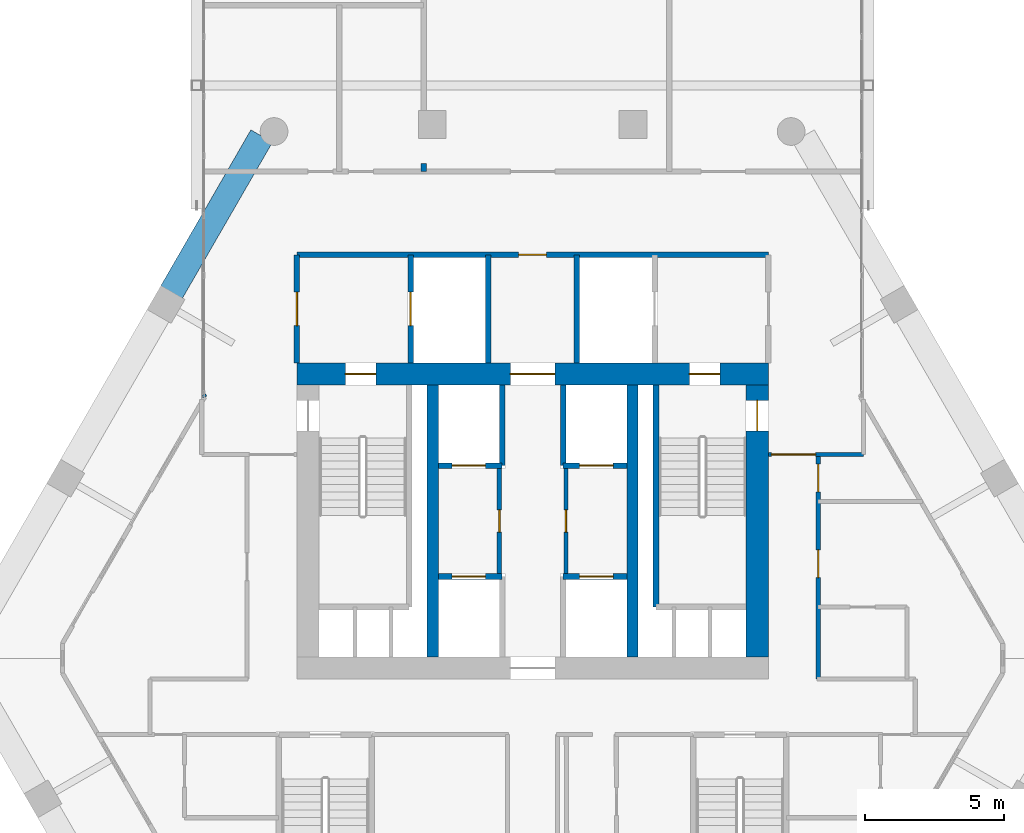
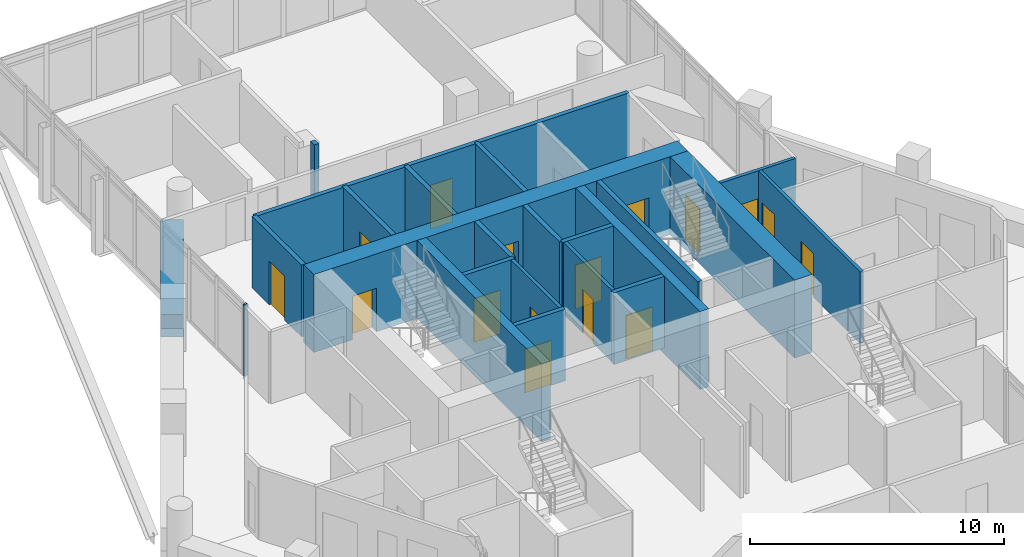
# One storey, part 34 of 38: 23 walls, 16 doors, 16 openings.
"""IFC4 building model written with IfcOpenShell, lengths in metres."""

from ifc_helpers import new_model, si_unit, direction, frame, frame_2d, origin, place, context, subcontext, project, spatial, rectangle, extrude, material, layer, layer_set, type_object, element, fill, save


model = new_model("IFC4")

# Units and contexts
model_context = context("Model", 3, precision=1e-05, world=origin(), true_north=direction((0.0, 1.0)))
body_context = subcontext(model_context, "Body", "Model", "MODEL_VIEW")
ifc_project = project(units=[si_unit("LENGTHUNIT", "METRE"), si_unit("AREAUNIT", "SQUARE_METRE"), si_unit("VOLUMEUNIT", "CUBIC_METRE"), si_unit("PLANEANGLEUNIT", "RADIAN"), si_unit("MASSUNIT", "GRAM", prefix="KILO")], contexts=[model_context])

# Site, building, storey
site_placement = place(None, origin())
site = spatial("IfcSite", under=ifc_project, at=site_placement, CompositionType="ELEMENT")
building_placement = place(site_placement, origin())
building = spatial("IfcBuilding", under=site, at=building_placement, Name="Ostrander Bayou Hotel Tower", CompositionType="ELEMENT")
storey_placement = place(building_placement, frame((0.0, 0.0, 194.5)))
storey = spatial("IfcBuildingStorey", under=building, at=storey_placement, Name="L48", CompositionType="ELEMENT", Elevation=194.5)

# Wall, openings, doors
ifc_material_1 = material(Name="Concrete f'c 60 MPa", Category="concrete")
ifc_layer_1 = layer(ifc_material_1, 0.800048828125)
ifc_layer_set_1 = layer_set([ifc_layer_1], Name="CW7 core wall 800 mm f'c 60 MPa")
wall_type_1 = type_object("IfcWallType", Name="CW7 core wall 800 mm f'c 60 MPa", PredefinedType="SHEAR", material=ifc_layer_set_1)
wall_1_placement = place(storey_placement, frame((-8.5, 9.300048828125, -0.300048828125), z_axis=(0.0, 0.0, 1.0), x_axis=(1.0, 0.0, 0.0)))
wall_1 = element("IfcWall", 1, at=wall_1_placement, inside=storey, type_object=wall_type_1, Name="CW7 L48 N", PredefinedType="SHEAR", context=body_context, shape_type="SweptSolid", body=[
    extrude(rectangle(XDim=17.0, YDim=0.800048828125, at=frame_2d((8.5, 0.0))), origin(), (0.0, 0.0, 1.0), 3.75),
])
opening_1_placement = place(wall_1_placement, frame((7.699951171875, 0.0, 0.0)))
opening_1 = element("IfcOpeningElement", 2, at=opening_1_placement, cuts=wall_1, Name="Opening T48-006", PredefinedType="OPENING", context=body_context, shape_type="SweptSolid", body=[
    extrude(rectangle(XDim=1.60009765625, YDim=2.10009765625, at=frame_2d((0.800048828125, 1.050048828125))), frame((0.0, 0.39990234375, 0.0), z_axis=(0.0, -1.0, 0.0), x_axis=(1.0, 0.0, 0.0)), (0.0, 0.0, 1.0), 0.800048828125),
])
opening_2_placement = place(wall_1_placement, frame((1.75, 0.0, 0.0)))
opening_2 = element("IfcOpeningElement", 3, at=opening_2_placement, cuts=wall_1, Name="Opening T48-007", PredefinedType="OPENING", context=body_context, shape_type="SweptSolid", body=[
    extrude(rectangle(XDim=1.10009765625, YDim=2.10009765625, at=frame_2d((0.550048828125, 1.050048828125))), frame((0.0, 0.39990234375, 0.0), z_axis=(0.0, -1.0, 0.0), x_axis=(1.0, 0.0, 0.0)), (0.0, 0.0, 1.0), 0.800048828125),
])
opening_3_placement = place(wall_1_placement, frame((14.14990234375, 0.0, 0.0)))
opening_3 = element("IfcOpeningElement", 4, at=opening_3_placement, cuts=wall_1, Name="Opening T48-009", PredefinedType="OPENING", context=body_context, shape_type="SweptSolid", body=[
    extrude(rectangle(XDim=1.10009765625, YDim=2.10009765625, at=frame_2d((0.550048828125, 1.050048828125))), frame((0.0, 0.39990234375, 0.0), z_axis=(0.0, -1.0, 0.0), x_axis=(1.0, 0.0, 0.0)), (0.0, 0.0, 1.0), 0.800048828125),
])
ifc_material_2 = material(Name="Timber door leaf", Category="wood")
door_type_1 = type_object("IfcDoorType", Name="D13 double door 1600 x 2100 mm, 1 hour", OperationType="SINGLE_SWING_LEFT", PredefinedType="DOOR", material=ifc_material_2)
door_1_placement = place(opening_1_placement, origin())
door_1 = element("IfcDoor", 5, at=door_1_placement, inside=storey, type_object=door_type_1, Name="dr:L48:006", OperationType="DOUBLE_DOOR_SINGLE_SWING", OverallHeight=2.10009765625, OverallWidth=1.60009765625, PredefinedType="DOOR", context=body_context, shape_type="SweptSolid", body=[
    extrude(rectangle(XDim=1.60009765625, YDim=2.10009765625, at=frame_2d((0.800048828125, 1.050048828125))), frame((0.0, 0.02490234375, 0.0), z_axis=(0.0, -1.0, 0.0), x_axis=(1.0, 0.0, 0.0)), (0.0, 0.0, 1.0), 0.050048828125),
])
fill(opening_1, door_1)
ifc_material_3 = material(Name="Timber door leaf", Category="wood")
door_type_2 = type_object("IfcDoorType", Name="D5 stair door 1100 x 2100 mm, 90 minute", OperationType="SINGLE_SWING_LEFT", PredefinedType="DOOR", material=ifc_material_3)
door_2_placement = place(opening_2_placement, origin())
door_2 = element("IfcDoor", 6, at=door_2_placement, inside=storey, type_object=door_type_2, Name="dr:L48:007", OperationType="SINGLE_SWING_LEFT", OverallHeight=2.10009765625, OverallWidth=1.10009765625, PredefinedType="DOOR", context=body_context, shape_type="SweptSolid", body=[
    extrude(rectangle(XDim=1.10009765625, YDim=2.10009765625, at=frame_2d((0.550048828125, 1.050048828125))), frame((0.0, 0.02490234375, 0.0), z_axis=(0.0, -1.0, 0.0), x_axis=(1.0, 0.0, 0.0)), (0.0, 0.0, 1.0), 0.050048828125),
])
fill(opening_2, door_2)
door_3_placement = place(opening_3_placement, origin())
door_3 = element("IfcDoor", 7, at=door_3_placement, inside=storey, type_object=door_type_2, Name="dr:L48:009", OperationType="SINGLE_SWING_RIGHT", OverallHeight=2.10009765625, OverallWidth=1.10009765625, PredefinedType="DOOR", context=body_context, shape_type="SweptSolid", body=[
    extrude(rectangle(XDim=1.10009765625, YDim=2.10009765625, at=frame_2d((0.550048828125, 1.050048828125))), frame((0.0, 0.02490234375, 0.0), z_axis=(0.0, -1.0, 0.0), x_axis=(1.0, 0.0, 0.0)), (0.0, 0.0, 1.0), 0.050048828125),
])
fill(opening_3, door_3)

# Wall, opening, door
ifc_material_4 = material(Name="Concrete f'c 60 MPa", Category="concrete")
ifc_layer_2 = layer(ifc_material_4, 0.800048828125)
ifc_layer_set_2 = layer_set([ifc_layer_2], Name="CW8 core spine wall 800 mm f'c 60 MPa")
wall_type_2 = type_object("IfcWallType", Name="CW8 core spine wall 800 mm f'c 60 MPa", PredefinedType="SHEAR", material=ifc_layer_set_2)
wall_2_placement = place(storey_placement, frame((8.10009765625, -0.89990234375, -0.300048828125), z_axis=(0.0, 0.0, 1.0), x_axis=(0.0, 1.0, 0.0)))
wall_2 = element("IfcWall", 8, at=wall_2_placement, inside=storey, type_object=wall_type_2, Name="CW8 L48 E", PredefinedType="SHEAR", context=body_context, shape_type="SweptSolid", body=[
    extrude(rectangle(XDim=9.7998046875, YDim=0.800048828125, at=frame_2d((4.89990234375, 0.0))), origin(), (0.0, 0.0, 1.0), 3.75),
])
opening_4_placement = place(wall_2_placement, frame((8.14990234375, 0.0, 0.0)))
opening_4 = element("IfcOpeningElement", 9, at=opening_4_placement, cuts=wall_2, Name="Opening T48-010", PredefinedType="OPENING", context=body_context, shape_type="SweptSolid", body=[
    extrude(rectangle(XDim=1.10009765625, YDim=2.10009765625, at=frame_2d((0.550048828125, 1.050048828125))), frame((0.0, 0.39990234375, 0.0), z_axis=(0.0, -1.0, 0.0), x_axis=(1.0, 0.0, 0.0)), (0.0, 0.0, 1.0), 0.800048828125),
])
door_4_placement = place(opening_4_placement, origin())
door_4 = element("IfcDoor", 10, at=door_4_placement, inside=storey, type_object=door_type_2, Name="dr:L48:010", OperationType="SINGLE_SWING_LEFT", OverallHeight=2.10009765625, OverallWidth=1.10009765625, PredefinedType="DOOR", context=body_context, shape_type="SweptSolid", body=[
    extrude(rectangle(XDim=1.10009765625, YDim=2.10009765625, at=frame_2d((0.550048828125, 1.050048828125))), frame((0.0, 0.02490234375, 0.0), z_axis=(0.0, -1.0, 0.0), x_axis=(1.0, 0.0, 0.0)), (0.0, 0.0, 1.0), 0.050048828125),
])
fill(opening_4, door_4)

# Walls
ifc_material_5 = material(Name="Concrete f'c 60 MPa", Category="concrete")
ifc_layer_3 = layer(ifc_material_5, 0.39990234375)
ifc_layer_set_3 = layer_set([ifc_layer_3], Name="CW9 core bank wall 400 mm f'c 60 MPa")
wall_type_3 = type_object("IfcWallType", Name="CW9 core bank wall 400 mm f'c 60 MPa", PredefinedType="SHEAR", material=ifc_layer_set_3)
for number, where, z_axis, x_axis, name in (
    (11, (-3.60009765625, -0.89990234375, -0.300048828125), (0.0, 0.0, 1.0), (0.0, 1.0, 0.0), "CW9 L48 CW"),
    (12, (3.60009765625, -0.89990234375, -0.300048828125), (0.0, 0.0, 1.0), (0.0, 1.0, 0.0), "CW9 L48 CE"),
):
    element("IfcWall", number, at=place(storey_placement, frame(where, z_axis=z_axis, x_axis=x_axis)), inside=storey, type_object=wall_type_3, Name=name, PredefinedType="SHEAR", context=body_context, shape_type="SweptSolid", body=[
        extrude(rectangle(XDim=9.7998046875, YDim=0.39990234375, at=frame_2d((4.89990234375, 0.0))), origin(), (0.0, 0.0, 1.0), 3.75),
    ])
ifc_material_6 = material(Name="Aluminium framed insulated wall", Category="aluminium")
ifc_layer_4 = layer(ifc_material_6, 0.14990234375)
ifc_layer_set_4 = layer_set([ifc_layer_4], Name="GW1 glass-line wall 150 mm")
wall_type_4 = type_object("IfcWallType", Name="GW1 glass-line wall 150 mm", PredefinedType="SOLIDWALL", material=ifc_layer_set_4)
wall_3_placement = place(storey_placement, frame((-11.823974609375, 8.471923828125, 0.0), z_axis=(0.0, 0.0, 1.0), x_axis=(-0.337751931921, 0.941235163221, 0.0)))
element("IfcWall", 13, at=wall_3_placement, inside=storey, type_object=wall_type_4, Name="GW1 L48 bar joint 1", PredefinedType="SOLIDWALL", context=body_context, shape_type="SweptSolid", body=[
    extrude(rectangle(XDim=0.098388671875, YDim=0.14990234375, at=frame_2d((0.04931640625, 0.0))), origin(), (0.0, 0.0, 1.0), 3.449951171875),
])
ifc_material_7 = material(Name="Concrete f'c 40 MPa", Category="concrete")
ifc_layer_5 = layer(ifc_material_7, 0.89990234375)
ifc_layer_set_5 = layer_set([ifc_layer_5], Name="PA1 stone-faced parapet 900 mm")
wall_type_5 = type_object("IfcWallType", Name="PA1 stone-faced parapet 900 mm", PredefinedType="PARAPET", material=ifc_layer_set_5)
wall_4_placement = place(storey_placement, frame((-9.76953125, 17.88037109375, 0.0), z_axis=(0.0, 0.0, 1.0), x_axis=(-0.499977752261, -0.866038248142, 0.0)))
element("IfcWall", 14, at=wall_4_placement, inside=storey, type_object=wall_type_5, Name="PA1 L48 NW-1", PredefinedType="PARAPET", context=body_context, shape_type="SweptSolid", body=[
    extrude(rectangle(XDim=6.511962890625, YDim=0.89990234375, at=frame_2d((3.255859375, 0.0))), origin(), (0.0, 0.0, 1.0), 1.10009765625),
])
ifc_material_8 = material(Name="Gypsum board partition", Category="finish")
ifc_layer_6 = layer(ifc_material_8, 0.199951171875)
ifc_layer_set_6 = layer_set([ifc_layer_6], Name="PT3 demising wall 200 mm acoustic double stud, 1 hour")
wall_type_6 = type_object("IfcWallType", Name="PT3 demising wall 200 mm acoustic double stud, 1 hour", PredefinedType="PARTITIONING", material=ifc_layer_set_6)
wall_5_placement = place(storey_placement, frame((-3.931884765625, 16.60009765625, 0.0), z_axis=(0.0, 0.0, 1.0), x_axis=(0.0, 1.0, 0.0)))
element("IfcWall", 15, at=wall_5_placement, inside=storey, type_object=wall_type_6, Name="sw:L48:507", PredefinedType="PARTITIONING", context=body_context, shape_type="SweptSolid", body=[
    extrude(rectangle(XDim=0.294921875, YDim=0.199951171875, at=frame_2d((0.1474609375, 0.0))), origin(), (0.0, 0.0, 1.0), 3.449951171875),
])

# Wall, opening, door
ifc_material_9 = material(Name="Masonry block", Category="masonry")
ifc_layer_7 = layer(ifc_material_9, 0.199951171875)
ifc_layer_set_7 = layer_set([ifc_layer_7], Name="PT5 stair enclosure wall 200 mm masonry, 2 hour")
wall_type_7 = type_object("IfcWallType", Name="PT5 stair enclosure wall 200 mm masonry, 2 hour", PredefinedType="PARTITIONING", material=ifc_layer_set_7)
wall_6_placement = place(storey_placement, frame((-8.5, 13.60009765625, 0.0), z_axis=(0.0, 0.0, 1.0), x_axis=(1.0, 0.0, 0.0)))
wall_6 = element("IfcWall", 16, at=wall_6_placement, inside=storey, type_object=wall_type_7, Name="cs:L48:025", PredefinedType="PARTITIONING", context=body_context, shape_type="SweptSolid", body=[
    extrude(rectangle(XDim=17.0, YDim=0.199951171875, at=frame_2d((8.5, 0.0))), origin(), (0.0, 0.0, 1.0), 3.449951171875),
])
opening_5_placement = place(wall_6_placement, frame((8.0, 0.0, 0.0)))
opening_5 = element("IfcOpeningElement", 17, at=opening_5_placement, cuts=wall_6, Name="Opening T48-017", PredefinedType="OPENING", context=body_context, shape_type="SweptSolid", body=[
    extrude(rectangle(XDim=1.0, YDim=2.10009765625, at=frame_2d((0.5, 1.050048828125))), frame((0.0, 0.10009765625, 0.0), z_axis=(0.0, -1.0, 0.0), x_axis=(1.0, 0.0, 0.0)), (0.0, 0.0, 1.0), 0.199951171875),
])
ifc_material_10 = material(Name="Timber door leaf", Category="wood")
door_type_3 = type_object("IfcDoorType", Name="D9 service door 1000 x 2100 mm, 30 minute", OperationType="SINGLE_SWING_LEFT", PredefinedType="DOOR", material=ifc_material_10)
door_5_placement = place(opening_5_placement, origin())
door_5 = element("IfcDoor", 18, at=door_5_placement, inside=storey, type_object=door_type_3, Name="dr:L48:017", OperationType="SINGLE_SWING_LEFT", OverallHeight=2.10009765625, OverallWidth=1.0, PredefinedType="DOOR", context=body_context, shape_type="SweptSolid", body=[
    extrude(rectangle(XDim=1.0, YDim=2.10009765625, at=frame_2d((0.5, 1.050048828125))), frame((0.0, 0.02490234375, 0.0), z_axis=(0.0, -1.0, 0.0), x_axis=(1.0, 0.0, 0.0)), (0.0, 0.0, 1.0), 0.050048828125),
])
fill(opening_5, door_5)

wall_7_placement = place(storey_placement, frame((-8.5, 9.699951171875, 0.0), z_axis=(0.0, 0.0, 1.0), x_axis=(0.0, 1.0, 0.0)))
wall_7 = element("IfcWall", 19, at=wall_7_placement, inside=storey, type_object=wall_type_7, Name="cs:L48:026", PredefinedType="PARTITIONING", context=body_context, shape_type="SweptSolid", body=[
    extrude(rectangle(XDim=3.900146484375, YDim=0.199951171875, at=frame_2d((1.9501953125, 0.0))), origin(), (0.0, 0.0, 1.0), 3.449951171875),
])
opening_6_placement = place(wall_7_placement, frame((1.35009765625, 0.0, 0.0)))
opening_6 = element("IfcOpeningElement", 20, at=opening_6_placement, cuts=wall_7, Name="Opening T48-014", PredefinedType="OPENING", context=body_context, shape_type="SweptSolid", body=[
    extrude(rectangle(XDim=1.199951171875, YDim=2.10009765625, at=frame_2d((0.60009765625, 1.050048828125))), frame((0.0, 0.10009765625, 0.0), z_axis=(0.0, -1.0, 0.0), x_axis=(1.0, 0.0, 0.0)), (0.0, 0.0, 1.0), 0.199951171875),
])
ifc_material_11 = material(Name="Timber door leaf", Category="wood")
door_type_4 = type_object("IfcDoorType", Name="D7 lobby door 1200 x 2100 mm, 1 hour", OperationType="SINGLE_SWING_LEFT", PredefinedType="DOOR", material=ifc_material_11)
door_6_placement = place(opening_6_placement, origin())
door_6 = element("IfcDoor", 21, at=door_6_placement, inside=storey, type_object=door_type_4, Name="dr:L48:014", OperationType="SINGLE_SWING_LEFT", OverallHeight=2.10009765625, OverallWidth=1.199951171875, PredefinedType="DOOR", context=body_context, shape_type="SweptSolid", body=[
    extrude(rectangle(XDim=1.199951171875, YDim=2.10009765625, at=frame_2d((0.60009765625, 1.050048828125))), frame((0.0, 0.02490234375, 0.0), z_axis=(0.0, -1.0, 0.0), x_axis=(1.0, 0.0, 0.0)), (0.0, 0.0, 1.0), 0.050048828125),
])
fill(opening_6, door_6)

wall_8_placement = place(storey_placement, frame((-4.39990234375, 9.699951171875, 0.0), z_axis=(0.0, 0.0, 1.0), x_axis=(0.0, 1.0, 0.0)))
wall_8 = element("IfcWall", 22, at=wall_8_placement, inside=storey, type_object=wall_type_7, Name="cs:L48:028", PredefinedType="PARTITIONING", context=body_context, shape_type="SweptSolid", body=[
    extrude(rectangle(XDim=3.900146484375, YDim=0.199951171875, at=frame_2d((1.9501953125, 0.0))), origin(), (0.0, 0.0, 1.0), 3.449951171875),
])
opening_7_placement = place(wall_8_placement, frame((1.35009765625, 0.0, 0.0)))
opening_7 = element("IfcOpeningElement", 23, at=opening_7_placement, cuts=wall_8, Name="Opening T48-013", PredefinedType="OPENING", context=body_context, shape_type="SweptSolid", body=[
    extrude(rectangle(XDim=1.199951171875, YDim=2.10009765625, at=frame_2d((0.60009765625, 1.050048828125))), frame((0.0, 0.10009765625, 0.0), z_axis=(0.0, -1.0, 0.0), x_axis=(1.0, 0.0, 0.0)), (0.0, 0.0, 1.0), 0.199951171875),
])
ifc_material_12 = material(Name="Stainless steel sliding door", Category="steel")
door_type_5 = type_object("IfcDoorType", Name="LD1 lift landing door 1200 x 2100 mm", OperationType="SINGLE_SWING_LEFT", PredefinedType="DOOR", material=ifc_material_12)
door_7_placement = place(opening_7_placement, origin())
door_7 = element("IfcDoor", 24, at=door_7_placement, inside=storey, type_object=door_type_5, Name="dr:L48:013", OperationType="SLIDING_TO_LEFT", OverallHeight=2.10009765625, OverallWidth=1.199951171875, PredefinedType="DOOR", context=body_context, shape_type="SweptSolid", body=[
    extrude(rectangle(XDim=1.199951171875, YDim=2.10009765625, at=frame_2d((0.60009765625, 1.050048828125))), frame((0.0, 0.02490234375, 0.0), z_axis=(0.0, -1.0, 0.0), x_axis=(1.0, 0.0, 0.0)), (0.0, 0.0, 1.0), 0.050048828125),
])
fill(opening_7, door_7)

ifc_material_13 = material(Name="Masonry block", Category="masonry")
ifc_layer_8 = layer(ifc_material_13, 0.199951171875)
ifc_layer_set_8 = layer_set([ifc_layer_8], Name="PT6 lift shaft wall 200 mm masonry, 2 hour")
wall_type_8 = type_object("IfcWallType", Name="PT6 lift shaft wall 200 mm masonry, 2 hour", PredefinedType="PARTITIONING", material=ifc_layer_set_8)
wall_9_placement = place(storey_placement, frame((-3.39990234375, 2.0, 0.0), z_axis=(0.0, 0.0, 1.0), x_axis=(1.0, 0.0, 0.0)))
wall_9 = element("IfcWall", 25, at=wall_9_placement, inside=storey, type_object=wall_type_8, Name="cs:L48:001", PredefinedType="PARTITIONING", context=body_context, shape_type="SweptSolid", body=[
    extrude(rectangle(XDim=2.2998046875, YDim=0.199951171875, at=frame_2d((1.14990234375, 0.0))), origin(), (0.0, 0.0, 1.0), 3.449951171875),
])
opening_8_placement = place(wall_9_placement, frame((0.5, 0.0, 0.0)))
opening_8 = element("IfcOpeningElement", 26, at=opening_8_placement, cuts=wall_9, Name="Opening T48-001", PredefinedType="OPENING", context=body_context, shape_type="SweptSolid", body=[
    extrude(rectangle(XDim=1.199951171875, YDim=2.10009765625, at=frame_2d((0.60009765625, 1.050048828125))), frame((0.0, 0.10009765625, 0.0), z_axis=(0.0, -1.0, 0.0), x_axis=(1.0, 0.0, 0.0)), (0.0, 0.0, 1.0), 0.199951171875),
])
door_8_placement = place(opening_8_placement, origin())
door_8 = element("IfcDoor", 27, at=door_8_placement, inside=storey, type_object=door_type_5, Name="dr:L48:001", OperationType="SLIDING_TO_LEFT", OverallHeight=2.10009765625, OverallWidth=1.199951171875, PredefinedType="DOOR", context=body_context, shape_type="SweptSolid", body=[
    extrude(rectangle(XDim=1.199951171875, YDim=2.10009765625, at=frame_2d((0.60009765625, 1.050048828125))), frame((0.0, 0.02490234375, 0.0), z_axis=(0.0, -1.0, 0.0), x_axis=(1.0, 0.0, 0.0)), (0.0, 0.0, 1.0), 0.050048828125),
])
fill(opening_8, door_8)

wall_10_placement = place(storey_placement, frame((-3.39990234375, 6.0, 0.0), z_axis=(0.0, 0.0, 1.0), x_axis=(1.0, 0.0, 0.0)))
wall_10 = element("IfcWall", 28, at=wall_10_placement, inside=storey, type_object=wall_type_8, Name="cs:L48:002", PredefinedType="PARTITIONING", context=body_context, shape_type="SweptSolid", body=[
    extrude(rectangle(XDim=2.2998046875, YDim=0.199951171875, at=frame_2d((1.14990234375, 0.0))), origin(), (0.0, 0.0, 1.0), 3.449951171875),
])
opening_9_placement = place(wall_10_placement, frame((0.5, 0.0, 0.0)))
opening_9 = element("IfcOpeningElement", 29, at=opening_9_placement, cuts=wall_10, Name="Opening T48-003", PredefinedType="OPENING", context=body_context, shape_type="SweptSolid", body=[
    extrude(rectangle(XDim=1.199951171875, YDim=2.10009765625, at=frame_2d((0.60009765625, 1.050048828125))), frame((0.0, 0.10009765625, 0.0), z_axis=(0.0, -1.0, 0.0), x_axis=(1.0, 0.0, 0.0)), (0.0, 0.0, 1.0), 0.199951171875),
])
door_9_placement = place(opening_9_placement, origin())
door_9 = element("IfcDoor", 30, at=door_9_placement, inside=storey, type_object=door_type_5, Name="dr:L48:003", OperationType="SLIDING_TO_LEFT", OverallHeight=2.10009765625, OverallWidth=1.199951171875, PredefinedType="DOOR", context=body_context, shape_type="SweptSolid", body=[
    extrude(rectangle(XDim=1.199951171875, YDim=2.10009765625, at=frame_2d((0.60009765625, 1.050048828125))), frame((0.0, 0.02490234375, 0.0), z_axis=(0.0, -1.0, 0.0), x_axis=(1.0, 0.0, 0.0)), (0.0, 0.0, 1.0), 0.050048828125),
])
fill(opening_9, door_9)

wall_11_placement = place(storey_placement, frame((1.10009765625, 2.0, 0.0), z_axis=(0.0, 0.0, 1.0), x_axis=(1.0, 0.0, 0.0)))
wall_11 = element("IfcWall", 31, at=wall_11_placement, inside=storey, type_object=wall_type_8, Name="cs:L48:003", PredefinedType="PARTITIONING", context=body_context, shape_type="SweptSolid", body=[
    extrude(rectangle(XDim=2.2998046875, YDim=0.199951171875, at=frame_2d((1.14990234375, 0.0))), origin(), (0.0, 0.0, 1.0), 3.449951171875),
])
opening_10_placement = place(wall_11_placement, frame((0.60009765625, 0.0, 0.0)))
opening_10 = element("IfcOpeningElement", 32, at=opening_10_placement, cuts=wall_11, Name="Opening T48-002", PredefinedType="OPENING", context=body_context, shape_type="SweptSolid", body=[
    extrude(rectangle(XDim=1.199951171875, YDim=2.10009765625, at=frame_2d((0.60009765625, 1.050048828125))), frame((0.0, 0.10009765625, 0.0), z_axis=(0.0, -1.0, 0.0), x_axis=(1.0, 0.0, 0.0)), (0.0, 0.0, 1.0), 0.199951171875),
])
door_10_placement = place(opening_10_placement, origin())
door_10 = element("IfcDoor", 33, at=door_10_placement, inside=storey, type_object=door_type_5, Name="dr:L48:002", OperationType="SLIDING_TO_LEFT", OverallHeight=2.10009765625, OverallWidth=1.199951171875, PredefinedType="DOOR", context=body_context, shape_type="SweptSolid", body=[
    extrude(rectangle(XDim=1.199951171875, YDim=2.10009765625, at=frame_2d((0.60009765625, 1.050048828125))), frame((0.0, 0.02490234375, 0.0), z_axis=(0.0, -1.0, 0.0), x_axis=(1.0, 0.0, 0.0)), (0.0, 0.0, 1.0), 0.050048828125),
])
fill(opening_10, door_10)

wall_12_placement = place(storey_placement, frame((1.10009765625, 6.0, 0.0), z_axis=(0.0, 0.0, 1.0), x_axis=(1.0, 0.0, 0.0)))
wall_12 = element("IfcWall", 34, at=wall_12_placement, inside=storey, type_object=wall_type_8, Name="cs:L48:004", PredefinedType="PARTITIONING", context=body_context, shape_type="SweptSolid", body=[
    extrude(rectangle(XDim=2.2998046875, YDim=0.199951171875, at=frame_2d((1.14990234375, 0.0))), origin(), (0.0, 0.0, 1.0), 3.449951171875),
])
opening_11_placement = place(wall_12_placement, frame((0.60009765625, 0.0, 0.0)))
opening_11 = element("IfcOpeningElement", 35, at=opening_11_placement, cuts=wall_12, Name="Opening T48-004", PredefinedType="OPENING", context=body_context, shape_type="SweptSolid", body=[
    extrude(rectangle(XDim=1.199951171875, YDim=2.10009765625, at=frame_2d((0.60009765625, 1.050048828125))), frame((0.0, 0.10009765625, 0.0), z_axis=(0.0, -1.0, 0.0), x_axis=(1.0, 0.0, 0.0)), (0.0, 0.0, 1.0), 0.199951171875),
])
door_11_placement = place(opening_11_placement, origin())
door_11 = element("IfcDoor", 36, at=door_11_placement, inside=storey, type_object=door_type_5, Name="dr:L48:004", OperationType="SLIDING_TO_LEFT", OverallHeight=2.10009765625, OverallWidth=1.199951171875, PredefinedType="DOOR", context=body_context, shape_type="SweptSolid", body=[
    extrude(rectangle(XDim=1.199951171875, YDim=2.10009765625, at=frame_2d((0.60009765625, 1.050048828125))), frame((0.0, 0.02490234375, 0.0), z_axis=(0.0, -1.0, 0.0), x_axis=(1.0, 0.0, 0.0)), (0.0, 0.0, 1.0), 0.050048828125),
])
fill(opening_11, door_11)

# Walls
for number, where, z_axis, x_axis, name in (
    (37, (-1.10009765625, 6.0, 0.0), (0.0, 0.0, 1.0), (0.0, 1.0, 0.0), "cs:L48:007"),
    (38, (1.10009765625, 6.0, 0.0), (0.0, 0.0, 1.0), (0.0, 1.0, 0.0), "cs:L48:008"),
):
    element("IfcWall", number, at=place(storey_placement, frame(where, z_axis=z_axis, x_axis=x_axis)), inside=storey, type_object=wall_type_8, Name=name, PredefinedType="PARTITIONING", context=body_context, shape_type="SweptSolid", body=[
        extrude(rectangle(XDim=2.89990234375, YDim=0.199951171875, at=frame_2d((1.449951171875, 0.0))), origin(), (0.0, 0.0, 1.0), 3.449951171875),
    ])
for number, where, z_axis, x_axis, name in (
    (39, (-1.60009765625, 9.699951171875, 0.0), (0.0, 0.0, 1.0), (0.0, 1.0, 0.0), "cs:L48:030"),
    (40, (1.60009765625, 9.699951171875, 0.0), (0.0, 0.0, 1.0), (0.0, 1.0, 0.0), "cs:L48:031"),
):
    element("IfcWall", number, at=place(storey_placement, frame(where, z_axis=z_axis, x_axis=x_axis)), inside=storey, type_object=wall_type_8, Name=name, PredefinedType="PARTITIONING", context=body_context, shape_type="SweptSolid", body=[
        extrude(rectangle(XDim=3.900146484375, YDim=0.199951171875, at=frame_2d((1.9501953125, 0.0))), origin(), (0.0, 0.0, 1.0), 3.449951171875),
    ])

# Wall, opening, door
ifc_material_14 = material(Name="Gypsum board partition", Category="finish")
ifc_layer_9 = layer(ifc_material_14, 0.14990234375)
ifc_layer_set_9 = layer_set([ifc_layer_9], Name="PT7 riser wall 150 mm, 2 hour")
wall_type_9 = type_object("IfcWallType", Name="PT7 riser wall 150 mm, 2 hour", PredefinedType="PARTITIONING", material=ifc_layer_set_9)
wall_13_placement = place(storey_placement, frame((-1.199951171875, 2.10009765625, 0.0), z_axis=(0.0, 0.0, 1.0), x_axis=(0.0, 1.0, 0.0)))
wall_13 = element("IfcWall", 41, at=wall_13_placement, inside=storey, type_object=wall_type_9, Name="cs:L48:032", PredefinedType="PARTITIONING", context=body_context, shape_type="SweptSolid", body=[
    extrude(rectangle(XDim=3.7998046875, YDim=0.14990234375, at=frame_2d((1.89990234375, 0.0))), origin(), (0.0, 0.0, 1.0), 3.449951171875),
])
opening_12_placement = place(wall_13_placement, frame((1.5, 0.0, 0.0)))
opening_12 = element("IfcOpeningElement", 42, at=opening_12_placement, cuts=wall_13, Name="Opening T48-018", PredefinedType="OPENING", context=body_context, shape_type="SweptSolid", body=[
    extrude(rectangle(XDim=0.800048828125, YDim=2.10009765625, at=frame_2d((0.39990234375, 1.050048828125))), frame((0.0, 0.074951171875, 0.0), z_axis=(0.0, -1.0, 0.0), x_axis=(1.0, 0.0, 0.0)), (0.0, 0.0, 1.0), 0.14990234375),
])
ifc_material_15 = material(Name="Timber door leaf", Category="wood")
door_type_6 = type_object("IfcDoorType", Name="D6 riser door 800 x 2100 mm, 90 minute", OperationType="SINGLE_SWING_LEFT", PredefinedType="DOOR", material=ifc_material_15)
door_12_placement = place(opening_12_placement, origin())
door_12 = element("IfcDoor", 43, at=door_12_placement, inside=storey, type_object=door_type_6, Name="dr:L48:018", OperationType="SINGLE_SWING_LEFT", OverallHeight=2.10009765625, OverallWidth=0.800048828125, PredefinedType="DOOR", context=body_context, shape_type="SweptSolid", body=[
    extrude(rectangle(XDim=0.800048828125, YDim=2.10009765625, at=frame_2d((0.39990234375, 1.050048828125))), frame((0.0, 0.02490234375, 0.0), z_axis=(0.0, -1.0, 0.0), x_axis=(1.0, 0.0, 0.0)), (0.0, 0.0, 1.0), 0.050048828125),
])
fill(opening_12, door_12)

wall_14_placement = place(storey_placement, frame((1.199951171875, 2.10009765625, 0.0), z_axis=(0.0, 0.0, 1.0), x_axis=(0.0, 1.0, 0.0)))
wall_14 = element("IfcWall", 44, at=wall_14_placement, inside=storey, type_object=wall_type_9, Name="cs:L48:033", PredefinedType="PARTITIONING", context=body_context, shape_type="SweptSolid", body=[
    extrude(rectangle(XDim=3.7998046875, YDim=0.14990234375, at=frame_2d((1.89990234375, 0.0))), origin(), (0.0, 0.0, 1.0), 3.449951171875),
])
opening_13_placement = place(wall_14_placement, frame((1.5, 0.0, 0.0)))
opening_13 = element("IfcOpeningElement", 45, at=opening_13_placement, cuts=wall_14, Name="Opening T48-019", PredefinedType="OPENING", context=body_context, shape_type="SweptSolid", body=[
    extrude(rectangle(XDim=0.800048828125, YDim=2.10009765625, at=frame_2d((0.39990234375, 1.050048828125))), frame((0.0, 0.074951171875, 0.0), z_axis=(0.0, -1.0, 0.0), x_axis=(1.0, 0.0, 0.0)), (0.0, 0.0, 1.0), 0.14990234375),
])
door_13_placement = place(opening_13_placement, origin())
door_13 = element("IfcDoor", 46, at=door_13_placement, inside=storey, type_object=door_type_6, Name="dr:L48:019", OperationType="SINGLE_SWING_RIGHT", OverallHeight=2.10009765625, OverallWidth=0.800048828125, PredefinedType="DOOR", context=body_context, shape_type="SweptSolid", body=[
    extrude(rectangle(XDim=0.800048828125, YDim=2.10009765625, at=frame_2d((0.39990234375, 1.050048828125))), frame((0.0, 0.02490234375, 0.0), z_axis=(0.0, -1.0, 0.0), x_axis=(1.0, 0.0, 0.0)), (0.0, 0.0, 1.0), 0.050048828125),
])
fill(opening_13, door_13)

ifc_material_16 = material(Name="Gypsum board partition", Category="finish")
ifc_layer_10 = layer(ifc_material_16, 0.14990234375)
ifc_layer_set_10 = layer_set([ifc_layer_10], Name="PT8 service band wall 150 mm, 1 hour")
wall_type_10 = type_object("IfcWallType", Name="PT8 service band wall 150 mm, 1 hour", PredefinedType="PARTITIONING", material=ifc_layer_set_10)
wall_15_placement = place(storey_placement, frame((8.510009765625, 6.39990234375, 0.0), z_axis=(0.0, 0.0, 1.0), x_axis=(1.0, 0.0, 0.0)))
wall_15 = element("IfcWall", 47, at=wall_15_placement, inside=storey, type_object=wall_type_10, Name="gw:L48:017", PredefinedType="PARTITIONING", context=body_context, shape_type="SweptSolid", body=[
    extrude(rectangle(XDim=3.419921875, YDim=0.14990234375, at=frame_2d((1.7099609375, 0.0))), origin(), (0.0, 0.0, 1.0), 3.449951171875),
])
opening_14_placement = place(wall_15_placement, frame((0.10009765625, 0.0, 0.0)))
opening_14 = element("IfcOpeningElement", 48, at=opening_14_placement, cuts=wall_15, Name="Opening T48-1212", PredefinedType="OPENING", context=body_context, shape_type="SweptSolid", body=[
    extrude(rectangle(XDim=1.60009765625, YDim=2.10009765625, at=frame_2d((0.800048828125, 1.050048828125))), frame((0.0, 0.074951171875, 0.0), z_axis=(0.0, -1.0, 0.0), x_axis=(1.0, 0.0, 0.0)), (0.0, 0.0, 1.0), 0.14990234375),
])
door_14_placement = place(opening_14_placement, origin())
door_14 = element("IfcDoor", 49, at=door_14_placement, inside=storey, type_object=door_type_1, Name="dr:L48:1212", OperationType="DOUBLE_DOOR_SINGLE_SWING", OverallHeight=2.10009765625, OverallWidth=1.60009765625, PredefinedType="DOOR", context=body_context, shape_type="SweptSolid", body=[
    extrude(rectangle(XDim=1.60009765625, YDim=2.10009765625, at=frame_2d((0.800048828125, 1.050048828125))), frame((0.0, 0.02490234375, 0.0), z_axis=(0.0, -1.0, 0.0), x_axis=(1.0, 0.0, 0.0)), (0.0, 0.0, 1.0), 0.050048828125),
])
fill(opening_14, door_14)

# Wall, openings, doors
wall_16_placement = place(storey_placement, frame((10.300048828125, -1.699951171875, 0.0), z_axis=(0.0, 0.0, 1.0), x_axis=(0.0, 1.0, 0.0)))
wall_16 = element("IfcWall", 50, at=wall_16_placement, inside=storey, type_object=wall_type_10, Name="gw:L48:023", PredefinedType="PARTITIONING", context=body_context, shape_type="SweptSolid", body=[
    extrude(rectangle(XDim=8.099853515625, YDim=0.14990234375, at=frame_2d((4.0498046875, 0.0))), origin(), (0.0, 0.0, 1.0), 3.449951171875),
])
opening_15_placement = place(wall_16_placement, frame((3.659912109375, 0.0, 0.0)))
opening_15 = element("IfcOpeningElement", 51, at=opening_15_placement, cuts=wall_16, Name="Opening T48-406", PredefinedType="OPENING", context=body_context, shape_type="SweptSolid", body=[
    extrude(rectangle(XDim=1.0, YDim=2.10009765625, at=frame_2d((0.5, 1.050048828125))), frame((0.0, 0.074951171875, 0.0), z_axis=(0.0, -1.0, 0.0), x_axis=(1.0, 0.0, 0.0)), (0.0, 0.0, 1.0), 0.14990234375),
])
opening_16_placement = place(wall_16_placement, frame((6.75, 0.0, 0.0)))
opening_16 = element("IfcOpeningElement", 52, at=opening_16_placement, cuts=wall_16, Name="Opening T48-408", PredefinedType="OPENING", context=body_context, shape_type="SweptSolid", body=[
    extrude(rectangle(XDim=1.0, YDim=2.10009765625, at=frame_2d((0.5, 1.050048828125))), frame((0.0, 0.074951171875, 0.0), z_axis=(0.0, -1.0, 0.0), x_axis=(1.0, 0.0, 0.0)), (0.0, 0.0, 1.0), 0.14990234375),
])
ifc_material_17 = material(Name="Timber door leaf", Category="wood")
door_type_7 = type_object("IfcDoorType", Name="D15 room door 1000 x 2100 mm", OperationType="SINGLE_SWING_LEFT", PredefinedType="DOOR", material=ifc_material_17)
door_15_placement = place(opening_15_placement, origin())
door_15 = element("IfcDoor", 53, at=door_15_placement, inside=storey, type_object=door_type_7, Name="dr:L48:406", OperationType="SINGLE_SWING_RIGHT", OverallHeight=2.10009765625, OverallWidth=1.0, PredefinedType="DOOR", context=body_context, shape_type="SweptSolid", body=[
    extrude(rectangle(XDim=1.0, YDim=2.10009765625, at=frame_2d((0.5, 1.050048828125))), frame((0.0, 0.02490234375, 0.0), z_axis=(0.0, -1.0, 0.0), x_axis=(1.0, 0.0, 0.0)), (0.0, 0.0, 1.0), 0.050048828125),
])
fill(opening_15, door_15)
door_16_placement = place(opening_16_placement, origin())
door_16 = element("IfcDoor", 54, at=door_16_placement, inside=storey, type_object=door_type_3, Name="dr:L48:408", OperationType="SINGLE_SWING_LEFT", OverallHeight=2.10009765625, OverallWidth=1.0, PredefinedType="DOOR", context=body_context, shape_type="SweptSolid", body=[
    extrude(rectangle(XDim=1.0, YDim=2.10009765625, at=frame_2d((0.5, 1.050048828125))), frame((0.0, 0.02490234375, 0.0), z_axis=(0.0, -1.0, 0.0), x_axis=(1.0, 0.0, 0.0)), (0.0, 0.0, 1.0), 0.050048828125),
])
fill(opening_16, door_16)

# Wall
ifc_material_18 = material(Name="Concrete f'c 45 MPa", Category="concrete")
ifc_layer_11 = layer(ifc_material_18, 0.199951171875)
ifc_layer_set_11 = layer_set([ifc_layer_11], Name="SW5 stair enclosure wall 200 mm f'c 45 MPa")
wall_type_11 = type_object("IfcWallType", Name="SW5 stair enclosure wall 200 mm f'c 45 MPa", PredefinedType="SOLIDWALL", material=ifc_layer_set_11)
wall_17_placement = place(storey_placement, frame((4.449951171875, 0.89990234375, -0.300048828125), z_axis=(0.0, 0.0, 1.0), x_axis=(0.0, 1.0, 0.0)))
element("IfcWall", 55, at=wall_17_placement, inside=storey, type_object=wall_type_11, Name="cs:L48:013", PredefinedType="SOLIDWALL", context=body_context, shape_type="SweptSolid", body=[
    extrude(rectangle(XDim=8.0, YDim=0.199951171875, at=frame_2d((4.0, 0.0))), origin(), (0.0, 0.0, 1.0), 3.75),
])

save(model, "model.ifc")
